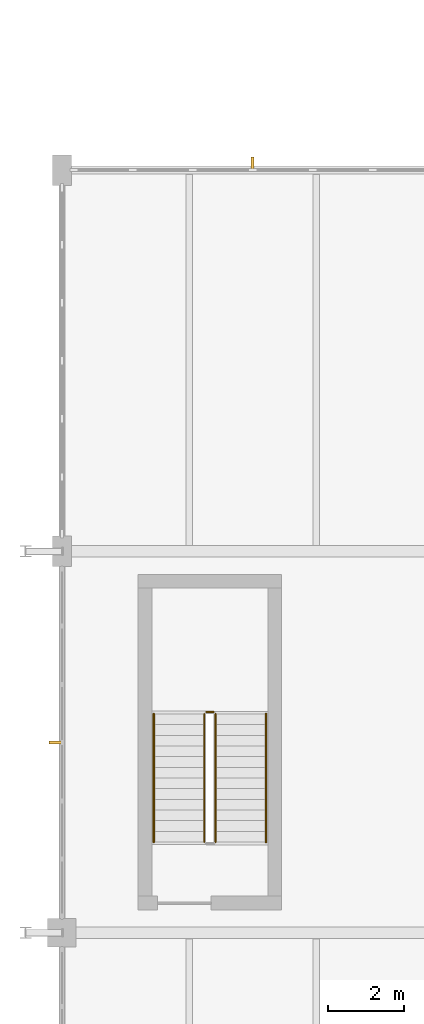
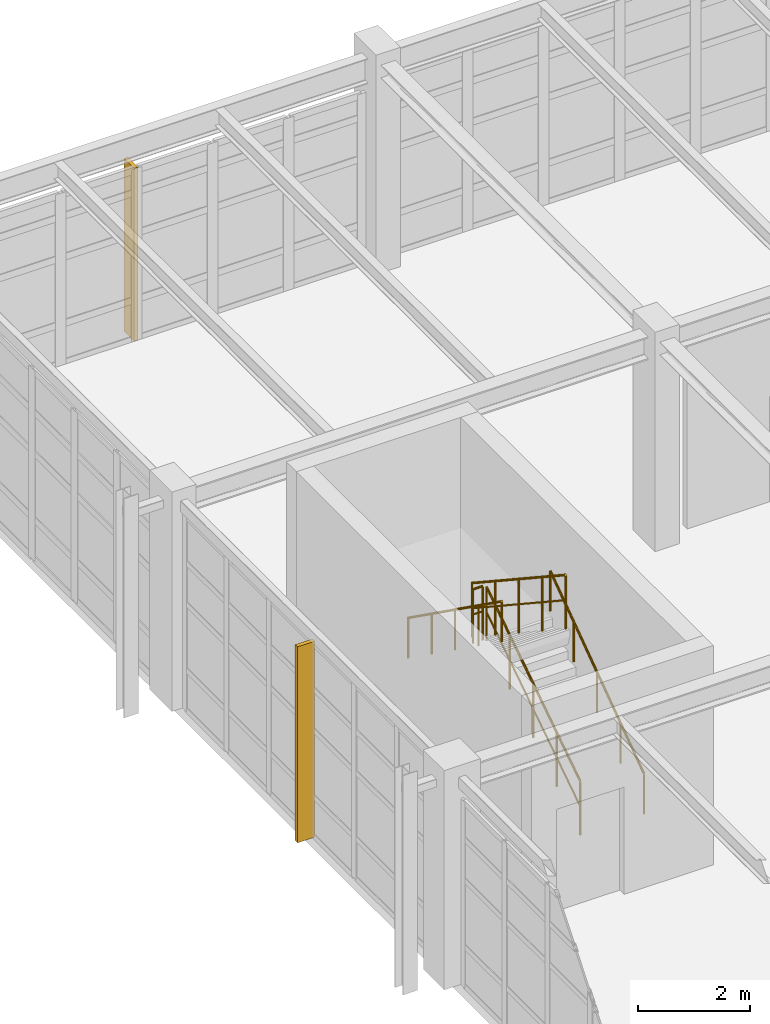
# One storey, part 130 of 139: 5 railings, 2 shading devices.
"""IFC4 building model written with IfcOpenShell, lengths in metres."""

from ifc_helpers import new_model, si_unit, direction, frame, origin, origin_2d, place, context, subcontext, project, spatial, rectangle, circle, extrude, material, type_object, element, save


model = new_model("IFC4")

# Units and contexts
model_context = context("Model", 3, precision=1e-05, world=origin(), true_north=direction((0.0, 1.0)))
body_context = subcontext(model_context, "Body", "Model", "MODEL_VIEW")
ifc_project = project(units=[si_unit("LENGTHUNIT", "METRE"), si_unit("AREAUNIT", "SQUARE_METRE"), si_unit("VOLUMEUNIT", "CUBIC_METRE"), si_unit("PLANEANGLEUNIT", "RADIAN"), si_unit("MASSUNIT", "GRAM", prefix="KILO"), si_unit("THERMODYNAMICTEMPERATUREUNIT", "KELVIN"), si_unit("POWERUNIT", "WATT")], contexts=[model_context])

# Site, building, storey
site_placement = place(None, origin())
site = spatial("IfcSite", under=ifc_project, at=site_placement, CompositionType="ELEMENT")
building_placement = place(site_placement, origin())
building = spatial("IfcBuilding", under=site, at=building_placement, Name="Korenveer Ferry Terminal", CompositionType="ELEMENT")
storey_placement = place(building_placement, frame((0.0, 0.0, 5.39990234375)))
storey = spatial("IfcBuildingStorey", under=building, at=storey_placement, Name="L01", CompositionType="ELEMENT", Elevation=5.39990234375)

# Shading devices
ifc_material_1 = material(Name="Anodised bronze aluminium solar fin", Category="aluminium")
shading_device_type = type_object("IfcShadingDeviceType", Name="ENV-SHD-FIN", PredefinedType="JALOUSIE", material=ifc_material_1)
shading_device_1_placement = place(storey_placement, frame((5.0, 80.159912109375, -0.02001953125), z_axis=(0.0, 0.0, 1.0), x_axis=(0.0, 1.0, 0.0)))
element("IfcShadingDevice", 1, at=shading_device_1_placement, inside=storey, type_object=shading_device_type, Name="Gothic solar fin 21", PredefinedType="JALOUSIE", context=body_context, shape_type="SweptSolid", body=[
    extrude(rectangle(XDim=0.360107421875, YDim=0.080078125, at=origin_2d()), origin(), (0.0, 0.0, 1.0), 3.7900390625),
])
shading_device_2_placement = place(storey_placement, frame((-0.159912109375, 64.987548828125, -0.02001953125), z_axis=(0.0, 0.0, 1.0), x_axis=(1.0, 0.0, 0.0)))
element("IfcShadingDevice", 2, at=shading_device_2_placement, inside=storey, type_object=shading_device_type, Name="Gothic solar fin 27", PredefinedType="JALOUSIE", context=body_context, shape_type="SweptSolid", body=[
    extrude(rectangle(XDim=0.360107421875, YDim=0.080078125, at=origin_2d()), origin(), (0.0, 0.0, 1.0), 4.2900390625),
])

# Railings
ifc_material_2 = material(Name="Brushed stainless steel handrail", Category="steel")
railing_type_1 = type_object("IfcRailingType", Name="INT-RL-HND90", PredefinedType="HANDRAIL", material=ifc_material_2)
railing_1_placement = place(storey_placement, frame((5.35009765625, 62.3798828125, 0.184814453125)))
element("IfcRailing", 3, at=railing_1_placement, inside=storey, type_object=railing_type_1, Name="L01 ST11 stair handrail 1", PredefinedType="HANDRAIL", context=body_context, shape_type="SweptSolid", body=[
    extrude(circle(Radius=0.02392578125, at=origin_2d()), frame((0.0, 0.0, 0.8759765625), z_axis=(0.0, 0.813753445783, 0.581210228297), x_axis=(-1.0, 0.0, 0.0)), (0.0, 0.0, 1.0), 4.129150390625),
    extrude(circle(Radius=0.02099609375, at=origin_2d()), origin(), (0.0, 0.0, 1.0), 0.851806640625),
    extrude(circle(Radius=0.02099609375, at=origin_2d()), frame((0.0, 0.840087890625, 0.60009765625)), (0.0, 0.0, 1.0), 0.851806640625),
    extrude(circle(Radius=0.02099609375, at=origin_2d()), frame((0.0, 1.68017578125, 1.199951171875)), (0.0, 0.0, 1.0), 0.851806640625),
    extrude(circle(Radius=0.02099609375, at=origin_2d()), frame((0.0, 2.52001953125, 1.7998046875)), (0.0, 0.0, 1.0), 0.851806640625),
    extrude(circle(Radius=0.02099609375, at=origin_2d()), frame((0.0, 3.360107421875, 2.39990234375)), (0.0, 0.0, 1.0), 0.851806640625),
])
railing_2_placement = place(storey_placement, frame((2.409912109375, 65.739990234375, 2.584716796875)))
element("IfcRailing", 4, at=railing_2_placement, inside=storey, type_object=railing_type_1, Name="L01 ST11 stair handrail 2", PredefinedType="HANDRAIL", context=body_context, shape_type="SweptSolid", body=[
    extrude(circle(Radius=0.02392578125, at=origin_2d()), frame((0.0, 0.0, 0.8759765625), z_axis=(0.0, -0.813753445783, 0.581210228297), x_axis=(1.0, 0.0, 0.0)), (0.0, 0.0, 1.0), 4.129150390625),
    extrude(circle(Radius=0.02099609375, at=origin_2d()), origin(), (0.0, 0.0, 1.0), 0.851806640625),
    extrude(circle(Radius=0.02099609375, at=origin_2d()), frame((0.0, -0.840087890625, 0.60009765625)), (0.0, 0.0, 1.0), 0.851806640625),
    extrude(circle(Radius=0.02099609375, at=origin_2d()), frame((0.0, -1.68017578125, 1.199951171875)), (0.0, 0.0, 1.0), 0.851806640625),
    extrude(circle(Radius=0.02099609375, at=origin_2d()), frame((0.0, -2.52001953125, 1.7998046875)), (0.0, 0.0, 1.0), 0.851806640625),
    extrude(circle(Radius=0.02099609375, at=origin_2d()), frame((0.0, -3.360107421875, 2.39990234375)), (0.0, 0.0, 1.0), 0.851806640625),
])
ifc_material_3 = material(Name="Painted steel stair guard", Category="steel")
railing_type_2 = type_object("IfcRailingType", Name="INT-RL-STGRD", PredefinedType="GUARDRAIL", material=ifc_material_3)
railing_3_placement = place(storey_placement, frame((4.030029296875, 62.3798828125, 0.184814453125)))
element("IfcRailing", 5, at=railing_3_placement, inside=storey, type_object=railing_type_2, Name="L01 ST11 stair guard 1", PredefinedType="GUARDRAIL", context=body_context, shape_type="SweptSolid", body=[
    extrude(circle(Radius=0.02392578125, at=origin_2d()), frame((0.0, 0.0, 1.17578125), z_axis=(0.0, 0.834876476806, 0.550437342915), x_axis=(-1.0, 0.0, 0.0)), (0.0, 0.0, 1.0), 4.024658203125),
    extrude(circle(Radius=0.01806640625, at=origin_2d()), frame((0.0, 0.0, 0.6240234375), z_axis=(0.0, 0.834876476806, 0.550437342915), x_axis=(-1.0, 0.0, 0.0)), (0.0, 0.0, 1.0), 4.024658203125),
    extrude(circle(Radius=0.02099609375, at=origin_2d()), origin(), (0.0, 0.0, 1.0), 1.15185546875),
    extrude(circle(Radius=0.02099609375, at=origin_2d()), frame((0.0, 0.840087890625, 0.5537109375)), (0.0, 0.0, 1.0), 1.15185546875),
    extrude(circle(Radius=0.02099609375, at=origin_2d()), frame((0.0, 1.68017578125, 1.107666015625)), (0.0, 0.0, 1.0), 1.15185546875),
    extrude(circle(Radius=0.02099609375, at=origin_2d()), frame((0.0, 2.52001953125, 1.66162109375)), (0.0, 0.0, 1.0), 1.15185546875),
    extrude(circle(Radius=0.02099609375, at=origin_2d()), frame((0.0, 3.360107421875, 2.21533203125)), (0.0, 0.0, 1.0), 1.15185546875),
])
railing_4_placement = place(storey_placement, frame((3.97998046875, 65.7900390625, 2.400146484375)))
element("IfcRailing", 6, at=railing_4_placement, inside=storey, type_object=railing_type_2, Name="L01 ST11 stair guard 2", PredefinedType="GUARDRAIL", context=body_context, shape_type="SweptSolid", body=[
    extrude(circle(Radius=0.02392578125, at=origin_2d()), frame((0.0, 0.0, 1.17578125), z_axis=(-1.0, 0.0, 0.0), x_axis=(0.0, -1.0, 0.0)), (0.0, 0.0, 1.0), 0.199951171875),
    extrude(circle(Radius=0.01806640625, at=origin_2d()), frame((0.0, 0.0, 0.6240234375), z_axis=(-1.0, 0.0, 0.0), x_axis=(0.0, -1.0, 0.0)), (0.0, 0.0, 1.0), 0.199951171875),
    extrude(circle(Radius=0.02099609375, at=origin_2d()), origin(), (0.0, 0.0, 1.0), 1.15185546875),
    extrude(circle(Radius=0.02099609375, at=origin_2d()), frame((-0.199951171875, 0.0, 0.0)), (0.0, 0.0, 1.0), 1.15185546875),
])
railing_5_placement = place(storey_placement, frame((3.72998046875, 65.739990234375, 2.584716796875)))
element("IfcRailing", 7, at=railing_5_placement, inside=storey, type_object=railing_type_2, Name="L01 ST11 stair guard 3", PredefinedType="GUARDRAIL", context=body_context, shape_type="SweptSolid", body=[
    extrude(circle(Radius=0.02392578125, at=origin_2d()), frame((0.0, 0.0, 1.17578125), z_axis=(0.0, -0.834876476806, 0.550437342915), x_axis=(1.0, 0.0, 0.0)), (0.0, 0.0, 1.0), 4.024658203125),
    extrude(circle(Radius=0.01806640625, at=origin_2d()), frame((0.0, 0.0, 0.6240234375), z_axis=(0.0, -0.834876476806, 0.550437342915), x_axis=(1.0, 0.0, 0.0)), (0.0, 0.0, 1.0), 4.024658203125),
    extrude(circle(Radius=0.02099609375, at=origin_2d()), origin(), (0.0, 0.0, 1.0), 1.15185546875),
    extrude(circle(Radius=0.02099609375, at=origin_2d()), frame((0.0, -0.840087890625, 0.5537109375)), (0.0, 0.0, 1.0), 1.15185546875),
    extrude(circle(Radius=0.02099609375, at=origin_2d()), frame((0.0, -1.68017578125, 1.107666015625)), (0.0, 0.0, 1.0), 1.15185546875),
    extrude(circle(Radius=0.02099609375, at=origin_2d()), frame((0.0, -2.52001953125, 1.66162109375)), (0.0, 0.0, 1.0), 1.15185546875),
    extrude(circle(Radius=0.02099609375, at=origin_2d()), frame((0.0, -3.360107421875, 2.21533203125)), (0.0, 0.0, 1.0), 1.15185546875),
])

save(model, "model.ifc")
